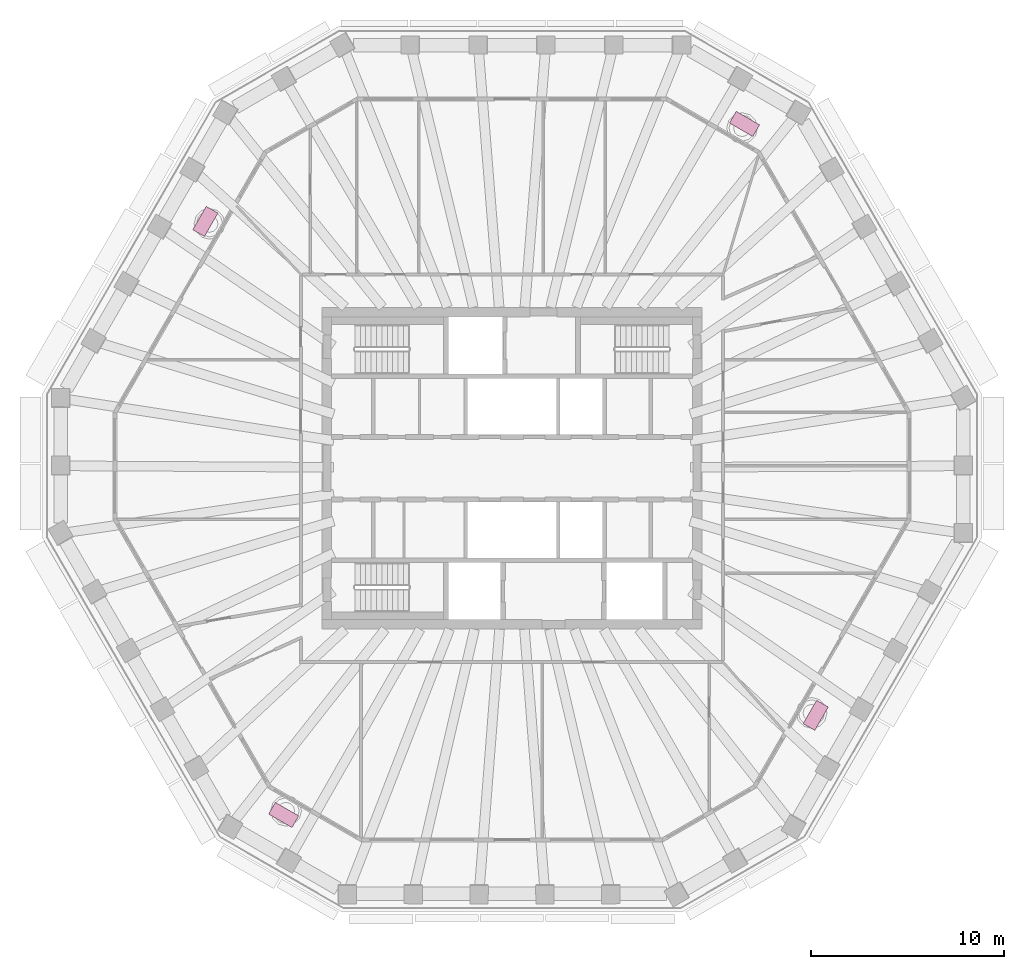
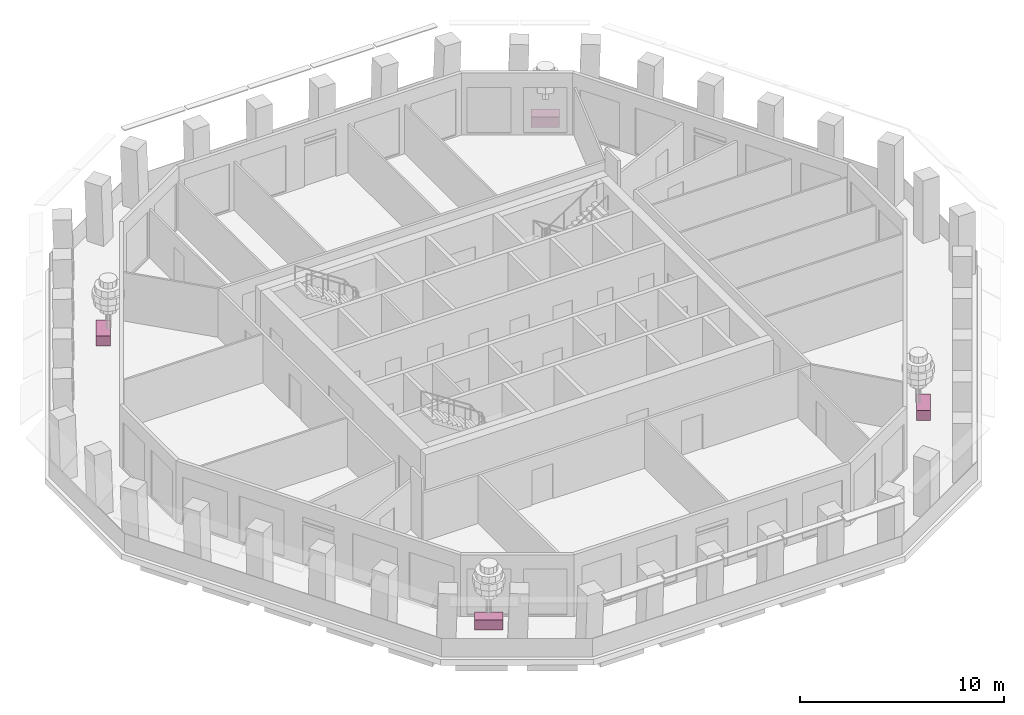
# One storey, part 11 of 12: 4 furniture elements.
"""IFC4 building model written with IfcOpenShell, lengths in metres."""

from ifc_helpers import new_model, si_unit, direction, frame, origin, origin_2d, place, context, subcontext, project, spatial, rectangle, extrude, material, type_object, element, save


model = new_model("IFC4")

# Units and contexts
model_context = context("Model", 3, precision=1e-05, world=origin(), true_north=direction((0.0, 1.0)))
body_context = subcontext(model_context, "Body", "Model", "MODEL_VIEW")
ifc_project = project(units=[si_unit("LENGTHUNIT", "METRE"), si_unit("AREAUNIT", "SQUARE_METRE"), si_unit("VOLUMEUNIT", "CUBIC_METRE"), si_unit("PLANEANGLEUNIT", "RADIAN"), si_unit("MASSUNIT", "GRAM", prefix="KILO")], contexts=[model_context])

# Site, building, storey
site_placement = place(None, origin())
site = spatial("IfcSite", under=ifc_project, at=site_placement, CompositionType="ELEMENT")
building_placement = place(site_placement, origin())
building = spatial("IfcBuilding", under=site, at=building_placement, Name="Frailejon Research Tower", CompositionType="ELEMENT")
storey_placement = place(building_placement, frame((0.0, 0.0, 267.0)))
storey = spatial("IfcBuildingStorey", under=building, at=storey_placement, Name="L58", CompositionType="ELEMENT", Elevation=267.0)

# Furniture
ifc_material = material(Name="Precast concrete C30/37 planter, terracotta", Category="masonry")
furniture_type = type_object("IfcFurnitureType", Name="Loggia planter 1400x700", AssemblyPlace="NOTDEFINED", PredefinedType="USERDEFINED", material=ifc_material)
for number, where, z_axis, x_axis, name in (
    (1, (12.060302734375, 17.85888671875, 0.0), (0.0, 0.0, 1.0), (-0.866025403784, 0.5, 0.0), "Planter L58"),
    (2, (-15.906005859375, 12.80126953125, 0.0), (0.0, 0.0, 1.0), (-0.5, -0.866025403784, 0.0), "Planter L58"),
    (3, (-11.842529296875, -17.984619140625, 0.0), (0.0, 0.0, 1.0), (0.866025403784, -0.5, 0.0), "Planter L58"),
    (4, (15.753662109375, -12.81396484375, 0.0), (0.0, 0.0, 1.0), (0.5, 0.866025403784, 0.0), "Planter L58"),
):
    element("IfcFurniture", number, at=place(storey_placement, frame(where, z_axis=z_axis, x_axis=x_axis)), inside=storey, type_object=furniture_type, Name=name, ObjectType="PLANTER", PredefinedType="USERDEFINED", context=body_context, shape_type="SweptSolid", body=[
        extrude(rectangle(XDim=1.39990234375, YDim=0.699951171875, at=origin_2d()), origin(), (0.0, 0.0, 1.0), 0.60009765625),
    ])

save(model, "model.ifc")
